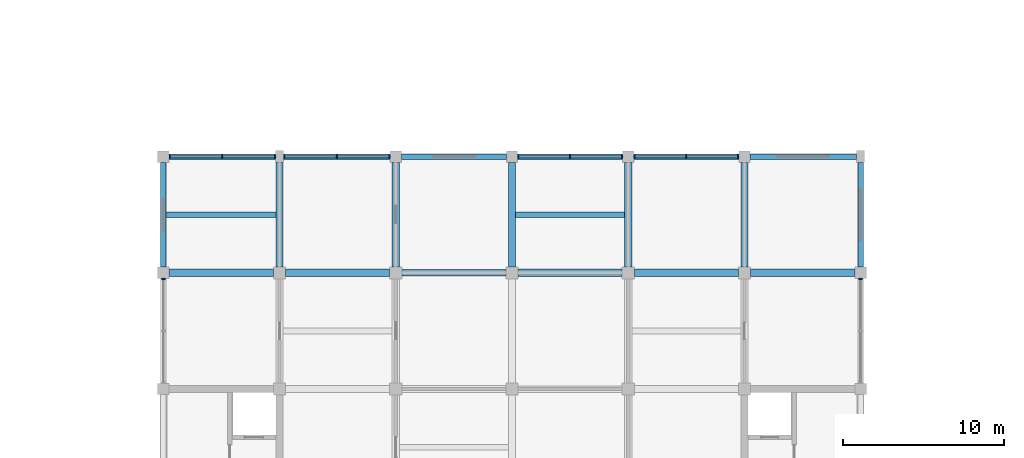
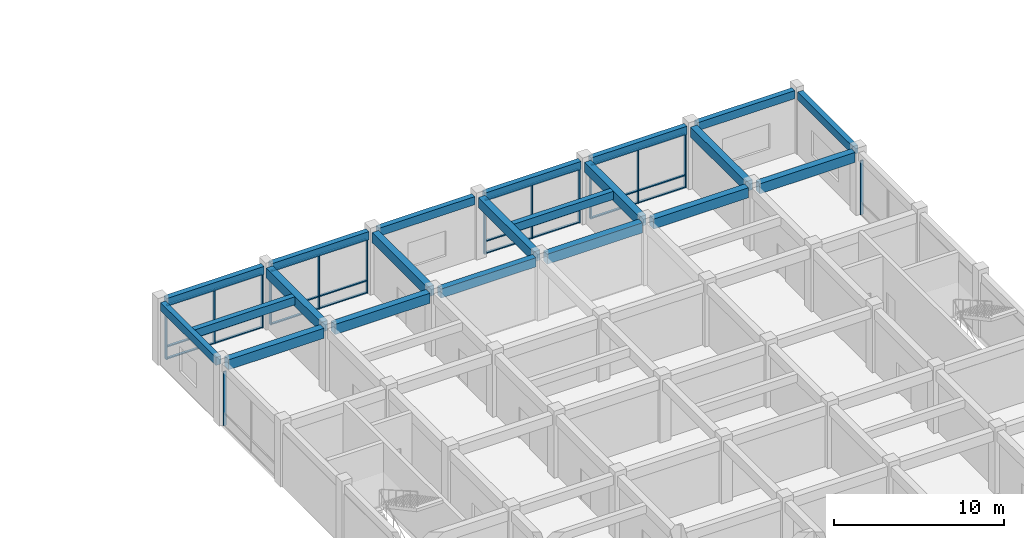
# One storey, part 11 of 30: 38 members, 21 beams, 6 elements without a shape of their own.
"""IFC4 building model written with IfcOpenShell, lengths in metres."""

from ifc_helpers import new_model, si_unit, direction, frame, origin, origin_2d, place, context, subcontext, project, spatial, rectangle, extrude, material, layer, layer_set, material_profile, profile_set, type_object, element, aggregate, save


model = new_model("IFC4")

# Units and contexts
model_context = context("Model", 3, precision=1e-05, world=origin(), true_north=direction((0.0, 1.0)))
body_context = subcontext(model_context, "Body", "Model", "MODEL_VIEW")
ifc_project = project(units=[si_unit("LENGTHUNIT", "METRE"), si_unit("AREAUNIT", "SQUARE_METRE"), si_unit("VOLUMEUNIT", "CUBIC_METRE"), si_unit("PLANEANGLEUNIT", "RADIAN"), si_unit("MASSUNIT", "GRAM", prefix="KILO")], contexts=[model_context])

# Site, building, storey
site_placement = place(None, origin())
site = spatial("IfcSite", under=ifc_project, at=site_placement, CompositionType="ELEMENT")
building_placement = place(site_placement, origin())
building = spatial("IfcBuilding", under=site, at=building_placement, Name="Cendaluz Park School", CompositionType="ELEMENT")
storey_placement = place(building_placement, frame((0.0, 0.0, 9.60009765625)))
storey = spatial("IfcBuildingStorey", under=building, at=storey_placement, Name="L02", CompositionType="ELEMENT", Elevation=9.60009765625)

# Beams
ifc_material_1 = material(Name="Concrete C40/50", Category="concrete")
ifc_material_profile_1 = material_profile(ifc_material_1, rectangle(XDim=0.449951171875, YDim=0.719970703125, at=origin_2d()), Name="RC 450x720", Category="concrete")
ifc_profile_set_1 = profile_set([ifc_material_profile_1], Name="Concrete C40/50")
beam_type_1 = type_object("IfcBeamType", Name="BM-RC02", PredefinedType="BEAM", material=ifc_profile_set_1)
beam_1_placement = place(storey_placement, frame((65.14990234375, 64.800048828125, 4.099853515625), z_axis=(1.0, 0.0, 0.0), x_axis=(0.0, 1.0, 0.0)))
element("IfcBeam", 1, at=beam_1_placement, inside=storey, type_object=beam_type_1, Name="BM-L02-BMRC02-0042", PredefinedType="BEAM", context=body_context, shape_type="SweptSolid", body=[
    extrude(rectangle(XDim=0.449951171875, YDim=0.719970703125, at=origin_2d()), origin(), (0.0, 0.0, 1.0), 6.47509765625),
])
beam_2_placement = place(storey_placement, frame((72.375, 64.800048828125, 4.099853515625), z_axis=(1.0, 0.0, 0.0), x_axis=(0.0, 1.0, 0.0)))
element("IfcBeam", 2, at=beam_2_placement, inside=storey, type_object=beam_type_1, Name="BM-L02-BMRC02-0052", PredefinedType="BEAM", context=body_context, shape_type="SweptSolid", body=[
    extrude(rectangle(XDim=0.449951171875, YDim=0.719970703125, at=origin_2d()), origin(), (0.0, 0.0, 1.0), 6.449951171875),
])
beam_3_placement = place(storey_placement, frame((86.77490234375, 64.800048828125, 4.099853515625), z_axis=(1.0, 0.0, 0.0), x_axis=(0.0, 1.0, 0.0)))
element("IfcBeam", 3, at=beam_3_placement, inside=storey, type_object=beam_type_1, Name="BM-L02-BMRC02-0072", PredefinedType="BEAM", context=body_context, shape_type="SweptSolid", body=[
    extrude(rectangle(XDim=0.449951171875, YDim=0.719970703125, at=origin_2d()), origin(), (0.0, 0.0, 1.0), 6.4501953125),
])
beam_4_placement = place(storey_placement, frame((93.97509765625, 64.800048828125, 4.099853515625), z_axis=(1.0, 0.0, 0.0), x_axis=(0.0, 1.0, 0.0)))
element("IfcBeam", 4, at=beam_4_placement, inside=storey, type_object=beam_type_1, Name="BM-L02-BMRC02-0082", PredefinedType="BEAM", context=body_context, shape_type="SweptSolid", body=[
    extrude(rectangle(XDim=0.449951171875, YDim=0.719970703125, at=origin_2d()), origin(), (0.0, 0.0, 1.0), 6.449951171875),
])
beam_5_placement = place(storey_placement, frame((101.175048828125, 64.800048828125, 4.099853515625), z_axis=(1.0, 0.0, 0.0), x_axis=(0.0, 1.0, 0.0)))
element("IfcBeam", 5, at=beam_5_placement, inside=storey, type_object=beam_type_1, Name="BM-L02-BMRC02-0090", PredefinedType="BEAM", context=body_context, shape_type="SweptSolid", body=[
    extrude(rectangle(XDim=0.449951171875, YDim=0.719970703125, at=origin_2d()), origin(), (0.0, 0.0, 1.0), 6.474853515625),
])
beam_6_placement = place(storey_placement, frame((72.0, 65.175048828125, 4.099853515625), z_axis=(0.0, 1.0, 0.0), x_axis=(-1.0, 0.0, 0.0)))
element("IfcBeam", 6, at=beam_6_placement, inside=storey, type_object=beam_type_1, Name="BM-L02-BMRC02-0171", PredefinedType="BEAM", context=body_context, shape_type="SweptSolid", body=[
    extrude(rectangle(XDim=0.449951171875, YDim=0.719970703125, at=origin_2d()), origin(), (0.0, 0.0, 1.0), 6.449951171875),
])
for number, where, z_axis, x_axis, name in (
    (7, (79.199951171875, 65.175048828125, 4.099853515625), (0.0, 1.0, 0.0), (-1.0, 0.0, 0.0), "BM-L02-BMRC02-0180"),
    (8, (86.39990234375, 65.175048828125, 4.099853515625), (0.0, 1.0, 0.0), (-1.0, 0.0, 0.0), "BM-L02-BMRC02-0189"),
    (9, (93.60009765625, 65.175048828125, 4.099853515625), (0.0, 1.0, 0.0), (-1.0, 0.0, 0.0), "BM-L02-BMRC02-0198"),
    (10, (100.800048828125, 65.175048828125, 4.099853515625), (0.0, 1.0, 0.0), (-1.0, 0.0, 0.0), "BM-L02-BMRC02-0207"),
):
    element("IfcBeam", number, at=place(storey_placement, frame(where, z_axis=z_axis, x_axis=x_axis)), inside=storey, type_object=beam_type_1, Name=name, PredefinedType="BEAM", context=body_context, shape_type="SweptSolid", body=[
        extrude(rectangle(XDim=0.449951171875, YDim=0.719970703125, at=origin_2d()), origin(), (0.0, 0.0, 1.0), 6.474853515625),
    ])
ifc_material_profile_2 = material_profile(ifc_material_1, rectangle(XDim=0.39990234375, YDim=0.64990234375, at=origin_2d()), Name="RC 400x650", Category="concrete")
ifc_profile_set_2 = profile_set([ifc_material_profile_2], Name="Concrete C40/50")
beam_type_2 = type_object("IfcBeamType", Name="BM-RC03", PredefinedType="T_BEAM", material=ifc_profile_set_2)
beam_7_placement = place(storey_placement, frame((79.574951171875, 64.800048828125, 4.135009765625), z_axis=(1.0, 0.0, 0.0), x_axis=(0.0, 1.0, 0.0)))
element("IfcBeam", 11, at=beam_7_placement, inside=storey, type_object=beam_type_2, Name="BM-L02-BMRC03-0062", PredefinedType="T_BEAM", context=body_context, shape_type="SweptSolid", body=[
    extrude(rectangle(XDim=0.39990234375, YDim=0.64990234375, at=origin_2d()), origin(), (0.0, 0.0, 1.0), 6.449951171875),
])
ifc_material_profile_3 = material_profile(ifc_material_1, rectangle(XDim=0.35009765625, YDim=0.580078125, at=origin_2d()), Name="RC 350x580", Category="concrete")
ifc_profile_set_3 = profile_set([ifc_material_profile_3], Name="Concrete C40/50")
beam_type_3 = type_object("IfcBeamType", Name="BM-RC04", PredefinedType="LINTEL", material=ifc_profile_set_3)
for number, where, z_axis, x_axis, name in (
    (12, (65.14990234375, 72.0, 4.169921875), (1.0, 0.0, 0.0), (0.0, 1.0, 0.0), "BM-L02-BMRC04-0043"),
    (13, (72.25, 72.0, 4.169921875), (1.0, 0.0, 0.0), (0.0, 1.0, 0.0), "BM-L02-BMRC04-0053"),
):
    element("IfcBeam", number, at=place(storey_placement, frame(where, z_axis=z_axis, x_axis=x_axis)), inside=storey, type_object=beam_type_3, Name=name, PredefinedType="LINTEL", context=body_context, shape_type="SweptSolid", body=[
        extrude(rectangle(XDim=0.35009765625, YDim=0.580078125, at=origin_2d()), origin(), (0.0, 0.0, 1.0), 6.60009765625),
    ])
for number, where, z_axis, x_axis, name in (
    (14, (79.550048828125, 72.0, 4.169921875), (1.0, 0.0, 0.0), (0.0, 1.0, 0.0), "BM-L02-BMRC04-0063"),
    (15, (86.75, 72.0, 4.169921875), (1.0, 0.0, 0.0), (0.0, 1.0, 0.0), "BM-L02-BMRC04-0073"),
    (16, (93.949951171875, 72.0, 4.169921875), (1.0, 0.0, 0.0), (0.0, 1.0, 0.0), "BM-L02-BMRC04-0083"),
):
    element("IfcBeam", number, at=place(storey_placement, frame(where, z_axis=z_axis, x_axis=x_axis)), inside=storey, type_object=beam_type_3, Name=name, PredefinedType="LINTEL", context=body_context, shape_type="SweptSolid", body=[
        extrude(rectangle(XDim=0.35009765625, YDim=0.580078125, at=origin_2d()), origin(), (0.0, 0.0, 1.0), 6.5),
    ])
beam_8_placement = place(storey_placement, frame((101.14990234375, 72.0, 4.169921875), z_axis=(1.0, 0.0, 0.0), x_axis=(0.0, 1.0, 0.0)))
element("IfcBeam", 17, at=beam_8_placement, inside=storey, type_object=beam_type_3, Name="BM-L02-BMRC04-0091", PredefinedType="LINTEL", context=body_context, shape_type="SweptSolid", body=[
    extrude(rectangle(XDim=0.35009765625, YDim=0.580078125, at=origin_2d()), origin(), (0.0, 0.0, 1.0), 6.60009765625),
])
beam_9_placement = place(storey_placement, frame((64.800048828125, 65.14990234375, 4.169921875), z_axis=(0.0, 1.0, 0.0), x_axis=(-1.0, 0.0, 0.0)))
element("IfcBeam", 18, at=beam_9_placement, inside=storey, type_object=beam_type_3, Name="BM-L02-BMRC04-0162", PredefinedType="LINTEL", context=body_context, shape_type="SweptSolid", body=[
    extrude(rectangle(XDim=0.35009765625, YDim=0.580078125, at=origin_2d()), origin(), (0.0, 0.0, 1.0), 6.5),
])
beam_10_placement = place(storey_placement, frame((108.0, 65.14990234375, 4.169921875), z_axis=(0.0, 1.0, 0.0), x_axis=(-1.0, 0.0, 0.0)))
element("IfcBeam", 19, at=beam_10_placement, inside=storey, type_object=beam_type_3, Name="BM-L02-BMRC04-0216", PredefinedType="LINTEL", context=body_context, shape_type="SweptSolid", body=[
    extrude(rectangle(XDim=0.35009765625, YDim=0.580078125, at=origin_2d()), origin(), (0.0, 0.0, 1.0), 6.47509765625),
])

# Curtain wall, member
ifc_material_2 = material(Name="Anodised Aluminium 6063-T6", Category="aluminium")
ifc_layer_1 = layer(ifc_material_2, 0.179931640625)
ifc_layer_set_1 = layer_set([ifc_layer_1], Name="Anodised Aluminium 6063-T6")
curtain_wall_type_1 = type_object("IfcCurtainWallType", Name="CW-130x78", PredefinedType="NOTDEFINED", material=ifc_layer_set_1)
curtain_wall_1_placement = place(storey_placement, origin())
curtain_wall_1 = element("IfcCurtainWall", 20, at=curtain_wall_1_placement, inside=storey, type_object=curtain_wall_type_1, Name="CW-L02-107", PredefinedType="NOTDEFINED")
ifc_material_profile_4 = material_profile(ifc_material_2, rectangle(XDim=0.199951171875, YDim=0.080078125, at=origin_2d()), Name="CWM 200x80", Category="aluminium")
ifc_profile_set_4 = profile_set([ifc_material_profile_4], Name="Anodised Aluminium 6063-T6")
member_type_1 = type_object("IfcMemberType", Name="CWM-02", PredefinedType="MULLION", material=ifc_profile_set_4)
member_1_placement = place(storey_placement, frame((64.800048828125, 64.409912109375, 0.0), z_axis=(0.0, 0.0, 1.0), x_axis=(-1.0, 0.0, 0.0)))
member_1 = element("IfcMember", 21, at=member_1_placement, type_object=member_type_1, Name="CP-L02-1381", PredefinedType="MULLION", context=body_context, shape_type="SweptSolid", body=[
    extrude(rectangle(XDim=0.199951171875, YDim=0.080078125, at=origin_2d()), origin(), (0.0, 0.0, 1.0), 3.8798828125),
])
aggregate(curtain_wall_1, [member_1])

# Curtain wall, members
ifc_layer_2 = layer(ifc_material_2, 0.179931640625)
ifc_layer_set_2 = layer_set([ifc_layer_2], Name="Anodised Aluminium 6063-T6")
curtain_wall_type_2 = type_object("IfcCurtainWallType", Name="CW-132x78", PredefinedType="NOTDEFINED", material=ifc_layer_set_2)
curtain_wall_2_placement = place(storey_placement, origin())
curtain_wall_2 = element("IfcCurtainWall", 22, at=curtain_wall_2_placement, inside=storey, type_object=curtain_wall_type_2, Name="CW-L02-108", PredefinedType="NOTDEFINED")
member_2_placement = place(storey_placement, frame((65.18994140625, 72.0, 0.0), z_axis=(0.0, 0.0, 1.0), x_axis=(0.0, 1.0, 0.0)))
member_2 = element("IfcMember", 23, at=member_2_placement, type_object=member_type_1, Name="CP-L02-1392", PredefinedType="MULLION", context=body_context, shape_type="SweptSolid", body=[
    extrude(rectangle(XDim=0.199951171875, YDim=0.080078125, at=origin_2d()), origin(), (0.0, 0.0, 1.0), 3.8798828125),
])
member_3_placement = place(storey_placement, frame((68.449951171875, 72.0, 0.0), z_axis=(0.0, 0.0, 1.0), x_axis=(0.0, 1.0, 0.0)))
member_3 = element("IfcMember", 24, at=member_3_placement, type_object=member_type_1, Name="CP-L02-1393", PredefinedType="MULLION", context=body_context, shape_type="SweptSolid", body=[
    extrude(rectangle(XDim=0.199951171875, YDim=0.080078125, at=origin_2d()), origin(), (0.0, 0.0, 1.0), 3.8798828125),
])
member_4_placement = place(storey_placement, frame((71.7099609375, 72.0, 0.0), z_axis=(0.0, 0.0, 1.0), x_axis=(0.0, 1.0, 0.0)))
member_4 = element("IfcMember", 25, at=member_4_placement, type_object=member_type_1, Name="CP-L02-1394", PredefinedType="MULLION", context=body_context, shape_type="SweptSolid", body=[
    extrude(rectangle(XDim=0.199951171875, YDim=0.080078125, at=origin_2d()), origin(), (0.0, 0.0, 1.0), 3.8798828125),
])

curtain_wall_3_placement = place(storey_placement, origin())
curtain_wall_3 = element("IfcCurtainWall", 26, at=curtain_wall_3_placement, inside=storey, type_object=curtain_wall_type_2, Name="CW-L02-110", PredefinedType="NOTDEFINED")
member_5_placement = place(storey_placement, frame((72.2900390625, 72.0, 0.0), z_axis=(0.0, 0.0, 1.0), x_axis=(0.0, 1.0, 0.0)))
member_5 = element("IfcMember", 27, at=member_5_placement, type_object=member_type_1, Name="CP-L02-1418", PredefinedType="MULLION", context=body_context, shape_type="SweptSolid", body=[
    extrude(rectangle(XDim=0.199951171875, YDim=0.080078125, at=origin_2d()), origin(), (0.0, 0.0, 1.0), 3.8798828125),
])
member_6_placement = place(storey_placement, frame((75.550048828125, 72.0, 0.0), z_axis=(0.0, 0.0, 1.0), x_axis=(0.0, 1.0, 0.0)))
member_6 = element("IfcMember", 28, at=member_6_placement, type_object=member_type_1, Name="CP-L02-1419", PredefinedType="MULLION", context=body_context, shape_type="SweptSolid", body=[
    extrude(rectangle(XDim=0.199951171875, YDim=0.080078125, at=origin_2d()), origin(), (0.0, 0.0, 1.0), 3.8798828125),
])
member_7_placement = place(storey_placement, frame((78.81005859375, 72.0, 0.0), z_axis=(0.0, 0.0, 1.0), x_axis=(0.0, 1.0, 0.0)))
member_7 = element("IfcMember", 29, at=member_7_placement, type_object=member_type_1, Name="CP-L02-1420", PredefinedType="MULLION", context=body_context, shape_type="SweptSolid", body=[
    extrude(rectangle(XDim=0.199951171875, YDim=0.080078125, at=origin_2d()), origin(), (0.0, 0.0, 1.0), 3.8798828125),
])

curtain_wall_4_placement = place(storey_placement, origin())
curtain_wall_4 = element("IfcCurtainWall", 30, at=curtain_wall_4_placement, inside=storey, type_object=curtain_wall_type_1, Name="CW-L02-112", PredefinedType="NOTDEFINED")
member_8_placement = place(storey_placement, frame((86.7900390625, 72.0, 0.0), z_axis=(0.0, 0.0, 1.0), x_axis=(0.0, 1.0, 0.0)))
member_8 = element("IfcMember", 31, at=member_8_placement, type_object=member_type_1, Name="CP-L02-1444", PredefinedType="MULLION", context=body_context, shape_type="SweptSolid", body=[
    extrude(rectangle(XDim=0.199951171875, YDim=0.080078125, at=origin_2d()), origin(), (0.0, 0.0, 1.0), 3.8798828125),
])
member_9_placement = place(storey_placement, frame((90.0, 72.0, 0.0), z_axis=(0.0, 0.0, 1.0), x_axis=(0.0, 1.0, 0.0)))
member_9 = element("IfcMember", 32, at=member_9_placement, type_object=member_type_1, Name="CP-L02-1445", PredefinedType="MULLION", context=body_context, shape_type="SweptSolid", body=[
    extrude(rectangle(XDim=0.199951171875, YDim=0.080078125, at=origin_2d()), origin(), (0.0, 0.0, 1.0), 3.8798828125),
])
member_10_placement = place(storey_placement, frame((93.2099609375, 72.0, 0.0), z_axis=(0.0, 0.0, 1.0), x_axis=(0.0, 1.0, 0.0)))
member_10 = element("IfcMember", 33, at=member_10_placement, type_object=member_type_1, Name="CP-L02-1446", PredefinedType="MULLION", context=body_context, shape_type="SweptSolid", body=[
    extrude(rectangle(XDim=0.199951171875, YDim=0.080078125, at=origin_2d()), origin(), (0.0, 0.0, 1.0), 3.8798828125),
])

curtain_wall_5_placement = place(storey_placement, origin())
curtain_wall_5 = element("IfcCurtainWall", 34, at=curtain_wall_5_placement, inside=storey, type_object=curtain_wall_type_1, Name="CW-L02-114", PredefinedType="NOTDEFINED")
member_11_placement = place(storey_placement, frame((93.989990234375, 72.0, 0.0), z_axis=(0.0, 0.0, 1.0), x_axis=(0.0, 1.0, 0.0)))
member_11 = element("IfcMember", 35, at=member_11_placement, type_object=member_type_1, Name="CP-L02-1470", PredefinedType="MULLION", context=body_context, shape_type="SweptSolid", body=[
    extrude(rectangle(XDim=0.199951171875, YDim=0.080078125, at=origin_2d()), origin(), (0.0, 0.0, 1.0), 3.8798828125),
])
member_12_placement = place(storey_placement, frame((97.199951171875, 72.0, 0.0), z_axis=(0.0, 0.0, 1.0), x_axis=(0.0, 1.0, 0.0)))
member_12 = element("IfcMember", 36, at=member_12_placement, type_object=member_type_1, Name="CP-L02-1471", PredefinedType="MULLION", context=body_context, shape_type="SweptSolid", body=[
    extrude(rectangle(XDim=0.199951171875, YDim=0.080078125, at=origin_2d()), origin(), (0.0, 0.0, 1.0), 3.8798828125),
])
member_13_placement = place(storey_placement, frame((100.409912109375, 72.0, 0.0), z_axis=(0.0, 0.0, 1.0), x_axis=(0.0, 1.0, 0.0)))
member_13 = element("IfcMember", 37, at=member_13_placement, type_object=member_type_1, Name="CP-L02-1472", PredefinedType="MULLION", context=body_context, shape_type="SweptSolid", body=[
    extrude(rectangle(XDim=0.199951171875, YDim=0.080078125, at=origin_2d()), origin(), (0.0, 0.0, 1.0), 3.8798828125),
])

# Curtain wall, member
curtain_wall_6_placement = place(storey_placement, origin())
curtain_wall_6 = element("IfcCurtainWall", 38, at=curtain_wall_6_placement, inside=storey, type_object=curtain_wall_type_1, Name="CW-L02-117", PredefinedType="NOTDEFINED")
member_14_placement = place(storey_placement, frame((108.0, 64.409912109375, 0.0), z_axis=(0.0, 0.0, 1.0), x_axis=(-1.0, 0.0, 0.0)))
member_14 = element("IfcMember", 39, at=member_14_placement, type_object=member_type_1, Name="CP-L02-1511", PredefinedType="MULLION", context=body_context, shape_type="SweptSolid", body=[
    extrude(rectangle(XDim=0.199951171875, YDim=0.080078125, at=origin_2d()), origin(), (0.0, 0.0, 1.0), 3.8798828125),
])
aggregate(curtain_wall_6, [member_14])

# Member
ifc_material_profile_5 = material_profile(ifc_material_2, rectangle(XDim=0.14990234375, YDim=0.080078125, at=origin_2d()), Name="CWT 150x80", Category="aluminium")
ifc_profile_set_5 = profile_set([ifc_material_profile_5], Name="Anodised Aluminium 6063-T6")
member_type_2 = type_object("IfcMemberType", Name="CWT-02", PredefinedType="USERDEFINED", material=ifc_profile_set_5)
member_15_placement = place(storey_placement, frame((65.22998046875, 72.0, 0.039794921875), z_axis=(1.0, 0.0, 0.0), x_axis=(0.0, 1.0, 0.0)))
member_15 = element("IfcMember", 40, at=member_15_placement, type_object=member_type_2, Name="CP-L02-1395", ObjectType="TRANSOM", PredefinedType="USERDEFINED", context=body_context, shape_type="SweptSolid", body=[
    extrude(rectangle(XDim=0.14990234375, YDim=0.080078125, at=origin_2d()), origin(), (0.0, 0.0, 1.0), 3.179931640625),
])

member_16_placement = place(storey_placement, frame((65.22998046875, 72.0, 0.89990234375), z_axis=(1.0, 0.0, 0.0), x_axis=(0.0, 1.0, 0.0)))
member_16 = element("IfcMember", 41, at=member_16_placement, type_object=member_type_2, Name="CP-L02-1396", ObjectType="TRANSOM", PredefinedType="USERDEFINED", context=body_context, shape_type="SweptSolid", body=[
    extrude(rectangle(XDim=0.14990234375, YDim=0.080078125, at=origin_2d()), origin(), (0.0, 0.0, 1.0), 3.179931640625),
])

member_17_placement = place(storey_placement, frame((65.22998046875, 72.0, 3.83984375), z_axis=(1.0, 0.0, 0.0), x_axis=(0.0, 1.0, 0.0)))
member_17 = element("IfcMember", 42, at=member_17_placement, type_object=member_type_2, Name="CP-L02-1397", ObjectType="TRANSOM", PredefinedType="USERDEFINED", context=body_context, shape_type="SweptSolid", body=[
    extrude(rectangle(XDim=0.14990234375, YDim=0.080078125, at=origin_2d()), origin(), (0.0, 0.0, 1.0), 3.179931640625),
])

member_18_placement = place(storey_placement, frame((68.489990234375, 72.0, 0.039794921875), z_axis=(1.0, 0.0, 0.0), x_axis=(0.0, 1.0, 0.0)))
member_18 = element("IfcMember", 43, at=member_18_placement, type_object=member_type_2, Name="CP-L02-1400", ObjectType="TRANSOM", PredefinedType="USERDEFINED", context=body_context, shape_type="SweptSolid", body=[
    extrude(rectangle(XDim=0.14990234375, YDim=0.080078125, at=origin_2d()), origin(), (0.0, 0.0, 1.0), 3.179931640625),
])

member_19_placement = place(storey_placement, frame((68.489990234375, 72.0, 0.89990234375), z_axis=(1.0, 0.0, 0.0), x_axis=(0.0, 1.0, 0.0)))
member_19 = element("IfcMember", 44, at=member_19_placement, type_object=member_type_2, Name="CP-L02-1401", ObjectType="TRANSOM", PredefinedType="USERDEFINED", context=body_context, shape_type="SweptSolid", body=[
    extrude(rectangle(XDim=0.14990234375, YDim=0.080078125, at=origin_2d()), origin(), (0.0, 0.0, 1.0), 3.179931640625),
])

member_20_placement = place(storey_placement, frame((68.489990234375, 72.0, 3.83984375), z_axis=(1.0, 0.0, 0.0), x_axis=(0.0, 1.0, 0.0)))
member_20 = element("IfcMember", 45, at=member_20_placement, type_object=member_type_2, Name="CP-L02-1402", ObjectType="TRANSOM", PredefinedType="USERDEFINED", context=body_context, shape_type="SweptSolid", body=[
    extrude(rectangle(XDim=0.14990234375, YDim=0.080078125, at=origin_2d()), origin(), (0.0, 0.0, 1.0), 3.179931640625),
])

aggregate(curtain_wall_2, [member_2, member_3, member_4, member_15, member_16, member_17, member_18, member_19, member_20])

member_21_placement = place(storey_placement, frame((72.330078125, 72.0, 0.039794921875), z_axis=(1.0, 0.0, 0.0), x_axis=(0.0, 1.0, 0.0)))
member_21 = element("IfcMember", 46, at=member_21_placement, type_object=member_type_2, Name="CP-L02-1421", ObjectType="TRANSOM", PredefinedType="USERDEFINED", context=body_context, shape_type="SweptSolid", body=[
    extrude(rectangle(XDim=0.14990234375, YDim=0.080078125, at=origin_2d()), origin(), (0.0, 0.0, 1.0), 3.179931640625),
])

member_22_placement = place(storey_placement, frame((72.330078125, 72.0, 0.89990234375), z_axis=(1.0, 0.0, 0.0), x_axis=(0.0, 1.0, 0.0)))
member_22 = element("IfcMember", 47, at=member_22_placement, type_object=member_type_2, Name="CP-L02-1422", ObjectType="TRANSOM", PredefinedType="USERDEFINED", context=body_context, shape_type="SweptSolid", body=[
    extrude(rectangle(XDim=0.14990234375, YDim=0.080078125, at=origin_2d()), origin(), (0.0, 0.0, 1.0), 3.179931640625),
])

member_23_placement = place(storey_placement, frame((72.330078125, 72.0, 3.83984375), z_axis=(1.0, 0.0, 0.0), x_axis=(0.0, 1.0, 0.0)))
member_23 = element("IfcMember", 48, at=member_23_placement, type_object=member_type_2, Name="CP-L02-1423", ObjectType="TRANSOM", PredefinedType="USERDEFINED", context=body_context, shape_type="SweptSolid", body=[
    extrude(rectangle(XDim=0.14990234375, YDim=0.080078125, at=origin_2d()), origin(), (0.0, 0.0, 1.0), 3.179931640625),
])

member_24_placement = place(storey_placement, frame((75.590087890625, 72.0, 0.039794921875), z_axis=(1.0, 0.0, 0.0), x_axis=(0.0, 1.0, 0.0)))
member_24 = element("IfcMember", 49, at=member_24_placement, type_object=member_type_2, Name="CP-L02-1426", ObjectType="TRANSOM", PredefinedType="USERDEFINED", context=body_context, shape_type="SweptSolid", body=[
    extrude(rectangle(XDim=0.14990234375, YDim=0.080078125, at=origin_2d()), origin(), (0.0, 0.0, 1.0), 3.179931640625),
])

member_25_placement = place(storey_placement, frame((75.590087890625, 72.0, 0.89990234375), z_axis=(1.0, 0.0, 0.0), x_axis=(0.0, 1.0, 0.0)))
member_25 = element("IfcMember", 50, at=member_25_placement, type_object=member_type_2, Name="CP-L02-1427", ObjectType="TRANSOM", PredefinedType="USERDEFINED", context=body_context, shape_type="SweptSolid", body=[
    extrude(rectangle(XDim=0.14990234375, YDim=0.080078125, at=origin_2d()), origin(), (0.0, 0.0, 1.0), 3.179931640625),
])

member_26_placement = place(storey_placement, frame((75.590087890625, 72.0, 3.83984375), z_axis=(1.0, 0.0, 0.0), x_axis=(0.0, 1.0, 0.0)))
member_26 = element("IfcMember", 51, at=member_26_placement, type_object=member_type_2, Name="CP-L02-1428", ObjectType="TRANSOM", PredefinedType="USERDEFINED", context=body_context, shape_type="SweptSolid", body=[
    extrude(rectangle(XDim=0.14990234375, YDim=0.080078125, at=origin_2d()), origin(), (0.0, 0.0, 1.0), 3.179931640625),
])

aggregate(curtain_wall_3, [member_5, member_6, member_7, member_21, member_22, member_23, member_24, member_25, member_26])

member_27_placement = place(storey_placement, frame((86.830078125, 72.0, 0.039794921875), z_axis=(1.0, 0.0, 0.0), x_axis=(0.0, 1.0, 0.0)))
member_27 = element("IfcMember", 52, at=member_27_placement, type_object=member_type_2, Name="CP-L02-1447", ObjectType="TRANSOM", PredefinedType="USERDEFINED", context=body_context, shape_type="SweptSolid", body=[
    extrude(rectangle(XDim=0.14990234375, YDim=0.080078125, at=origin_2d()), origin(), (0.0, 0.0, 1.0), 3.1298828125),
])

member_28_placement = place(storey_placement, frame((86.830078125, 72.0, 0.89990234375), z_axis=(1.0, 0.0, 0.0), x_axis=(0.0, 1.0, 0.0)))
member_28 = element("IfcMember", 53, at=member_28_placement, type_object=member_type_2, Name="CP-L02-1448", ObjectType="TRANSOM", PredefinedType="USERDEFINED", context=body_context, shape_type="SweptSolid", body=[
    extrude(rectangle(XDim=0.14990234375, YDim=0.080078125, at=origin_2d()), origin(), (0.0, 0.0, 1.0), 3.1298828125),
])

member_29_placement = place(storey_placement, frame((86.830078125, 72.0, 3.83984375), z_axis=(1.0, 0.0, 0.0), x_axis=(0.0, 1.0, 0.0)))
member_29 = element("IfcMember", 54, at=member_29_placement, type_object=member_type_2, Name="CP-L02-1449", ObjectType="TRANSOM", PredefinedType="USERDEFINED", context=body_context, shape_type="SweptSolid", body=[
    extrude(rectangle(XDim=0.14990234375, YDim=0.080078125, at=origin_2d()), origin(), (0.0, 0.0, 1.0), 3.1298828125),
])

member_30_placement = place(storey_placement, frame((90.0400390625, 72.0, 0.039794921875), z_axis=(1.0, 0.0, 0.0), x_axis=(0.0, 1.0, 0.0)))
member_30 = element("IfcMember", 55, at=member_30_placement, type_object=member_type_2, Name="CP-L02-1452", ObjectType="TRANSOM", PredefinedType="USERDEFINED", context=body_context, shape_type="SweptSolid", body=[
    extrude(rectangle(XDim=0.14990234375, YDim=0.080078125, at=origin_2d()), origin(), (0.0, 0.0, 1.0), 3.1298828125),
])

member_31_placement = place(storey_placement, frame((90.0400390625, 72.0, 0.89990234375), z_axis=(1.0, 0.0, 0.0), x_axis=(0.0, 1.0, 0.0)))
member_31 = element("IfcMember", 56, at=member_31_placement, type_object=member_type_2, Name="CP-L02-1453", ObjectType="TRANSOM", PredefinedType="USERDEFINED", context=body_context, shape_type="SweptSolid", body=[
    extrude(rectangle(XDim=0.14990234375, YDim=0.080078125, at=origin_2d()), origin(), (0.0, 0.0, 1.0), 3.1298828125),
])

member_32_placement = place(storey_placement, frame((90.0400390625, 72.0, 3.83984375), z_axis=(1.0, 0.0, 0.0), x_axis=(0.0, 1.0, 0.0)))
member_32 = element("IfcMember", 57, at=member_32_placement, type_object=member_type_2, Name="CP-L02-1454", ObjectType="TRANSOM", PredefinedType="USERDEFINED", context=body_context, shape_type="SweptSolid", body=[
    extrude(rectangle(XDim=0.14990234375, YDim=0.080078125, at=origin_2d()), origin(), (0.0, 0.0, 1.0), 3.1298828125),
])

aggregate(curtain_wall_4, [member_8, member_9, member_10, member_27, member_28, member_29, member_30, member_31, member_32])

member_33_placement = place(storey_placement, frame((94.030029296875, 72.0, 0.039794921875), z_axis=(1.0, 0.0, 0.0), x_axis=(0.0, 1.0, 0.0)))
member_33 = element("IfcMember", 58, at=member_33_placement, type_object=member_type_2, Name="CP-L02-1473", ObjectType="TRANSOM", PredefinedType="USERDEFINED", context=body_context, shape_type="SweptSolid", body=[
    extrude(rectangle(XDim=0.14990234375, YDim=0.080078125, at=origin_2d()), origin(), (0.0, 0.0, 1.0), 3.1298828125),
])

member_34_placement = place(storey_placement, frame((94.030029296875, 72.0, 0.89990234375), z_axis=(1.0, 0.0, 0.0), x_axis=(0.0, 1.0, 0.0)))
member_34 = element("IfcMember", 59, at=member_34_placement, type_object=member_type_2, Name="CP-L02-1474", ObjectType="TRANSOM", PredefinedType="USERDEFINED", context=body_context, shape_type="SweptSolid", body=[
    extrude(rectangle(XDim=0.14990234375, YDim=0.080078125, at=origin_2d()), origin(), (0.0, 0.0, 1.0), 3.1298828125),
])

member_35_placement = place(storey_placement, frame((94.030029296875, 72.0, 3.83984375), z_axis=(1.0, 0.0, 0.0), x_axis=(0.0, 1.0, 0.0)))
member_35 = element("IfcMember", 60, at=member_35_placement, type_object=member_type_2, Name="CP-L02-1475", ObjectType="TRANSOM", PredefinedType="USERDEFINED", context=body_context, shape_type="SweptSolid", body=[
    extrude(rectangle(XDim=0.14990234375, YDim=0.080078125, at=origin_2d()), origin(), (0.0, 0.0, 1.0), 3.1298828125),
])

member_36_placement = place(storey_placement, frame((97.239990234375, 72.0, 0.039794921875), z_axis=(1.0, 0.0, 0.0), x_axis=(0.0, 1.0, 0.0)))
member_36 = element("IfcMember", 61, at=member_36_placement, type_object=member_type_2, Name="CP-L02-1478", ObjectType="TRANSOM", PredefinedType="USERDEFINED", context=body_context, shape_type="SweptSolid", body=[
    extrude(rectangle(XDim=0.14990234375, YDim=0.080078125, at=origin_2d()), origin(), (0.0, 0.0, 1.0), 3.130126953125),
])

member_37_placement = place(storey_placement, frame((97.239990234375, 72.0, 0.89990234375), z_axis=(1.0, 0.0, 0.0), x_axis=(0.0, 1.0, 0.0)))
member_37 = element("IfcMember", 62, at=member_37_placement, type_object=member_type_2, Name="CP-L02-1479", ObjectType="TRANSOM", PredefinedType="USERDEFINED", context=body_context, shape_type="SweptSolid", body=[
    extrude(rectangle(XDim=0.14990234375, YDim=0.080078125, at=origin_2d()), origin(), (0.0, 0.0, 1.0), 3.130126953125),
])

member_38_placement = place(storey_placement, frame((97.239990234375, 72.0, 3.83984375), z_axis=(1.0, 0.0, 0.0), x_axis=(0.0, 1.0, 0.0)))
member_38 = element("IfcMember", 63, at=member_38_placement, type_object=member_type_2, Name="CP-L02-1480", ObjectType="TRANSOM", PredefinedType="USERDEFINED", context=body_context, shape_type="SweptSolid", body=[
    extrude(rectangle(XDim=0.14990234375, YDim=0.080078125, at=origin_2d()), origin(), (0.0, 0.0, 1.0), 3.130126953125),
])

aggregate(curtain_wall_5, [member_11, member_12, member_13, member_33, member_34, member_35, member_36, member_37, member_38])

# Beams
ifc_material_profile_6 = material_profile(ifc_material_1, rectangle(XDim=0.35009765625, YDim=0.580078125, at=origin_2d()), Name="RC 350x580", Category="concrete")
ifc_profile_set_6 = profile_set([ifc_material_profile_6], Name="Concrete C40/50")
beam_type_4 = type_object("IfcBeamType", Name="JT-RC01", PredefinedType="JOIST", material=ifc_profile_set_6)
beam_11_placement = place(storey_placement, frame((64.97509765625, 68.39990234375, 4.169921875), z_axis=(1.0, 0.0, 0.0), x_axis=(0.0, 1.0, 0.0)))
element("IfcBeam", 64, at=beam_11_placement, inside=storey, type_object=beam_type_4, Name="BM-L02-JTRC01-0253", PredefinedType="JOIST", context=body_context, shape_type="SweptSolid", body=[
    extrude(rectangle(XDim=0.35009765625, YDim=0.580078125, at=origin_2d()), origin(), (0.0, 0.0, 1.0), 6.7998046875),
])
beam_12_placement = place(storey_placement, frame((86.625, 68.39990234375, 4.169921875), z_axis=(1.0, 0.0, 0.0), x_axis=(0.0, 1.0, 0.0)))
element("IfcBeam", 65, at=beam_12_placement, inside=storey, type_object=beam_type_4, Name="BM-L02-JTRC01-0262", PredefinedType="JOIST", context=body_context, shape_type="SweptSolid", body=[
    extrude(rectangle(XDim=0.35009765625, YDim=0.580078125, at=origin_2d()), origin(), (0.0, 0.0, 1.0), 6.75),
])

save(model, "model.ifc")
